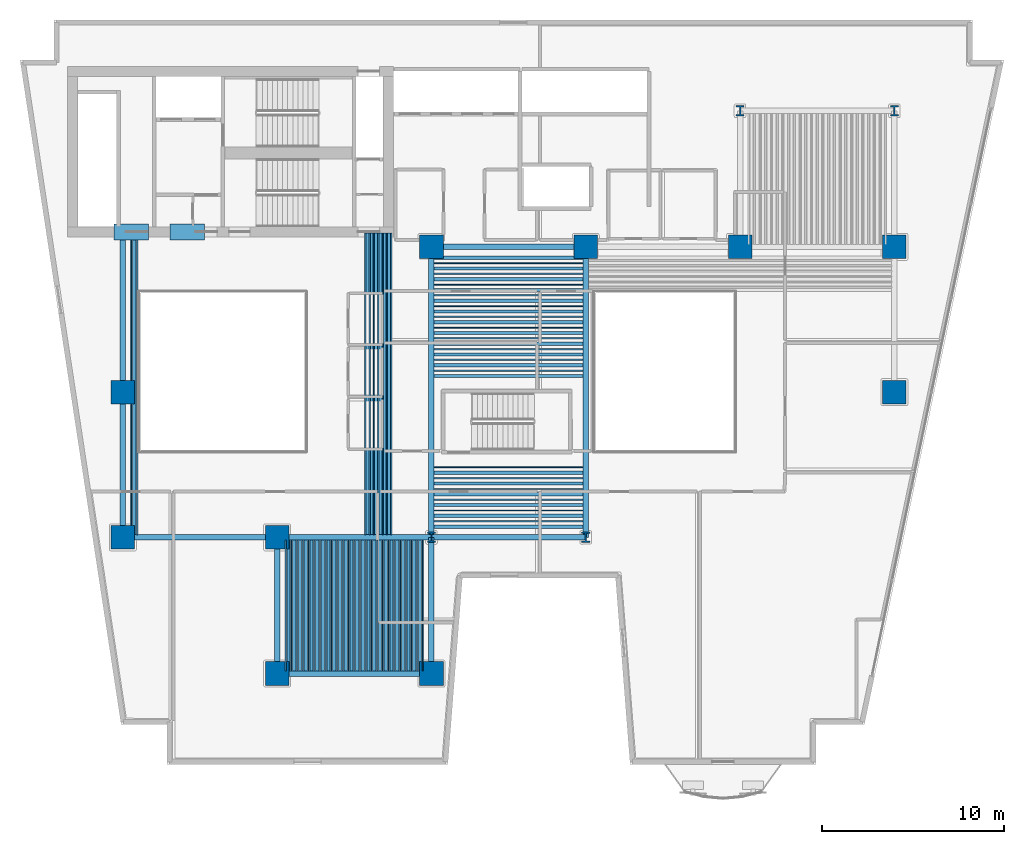
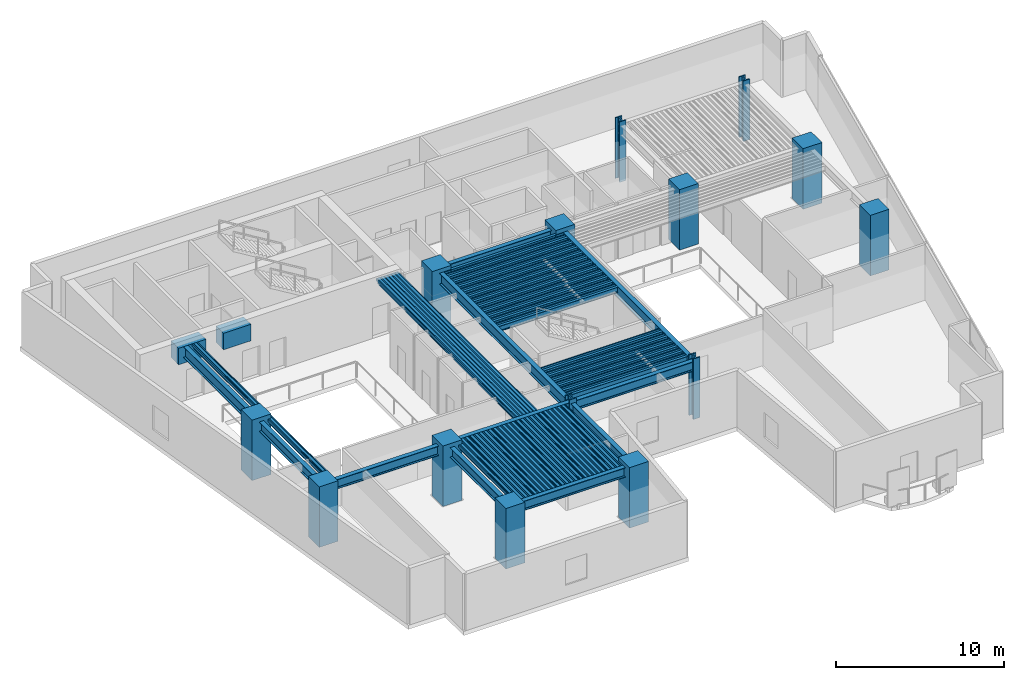
# One storey, part 1 of 12: 113 beams, 14 columns.
"""IFC4 building model written with IfcOpenShell, lengths in metres."""

from ifc_helpers import new_model, si_unit, direction, frame, origin, origin_2d, place, context, subcontext, project, spatial, rectangle, hollow_rectangle, i_section, extrude, material, material_profile, profile_set, type_object, element, save


model = new_model("IFC4")

# Units and contexts
model_context = context("Model", 3, precision=1e-05, world=origin(), true_north=direction((0.0, 1.0)))
body_context = subcontext(model_context, "Body", "Model", "MODEL_VIEW")
ifc_project = project(units=[si_unit("LENGTHUNIT", "METRE"), si_unit("AREAUNIT", "SQUARE_METRE"), si_unit("VOLUMEUNIT", "CUBIC_METRE"), si_unit("PLANEANGLEUNIT", "RADIAN"), si_unit("MASSUNIT", "GRAM", prefix="KILO")], contexts=[model_context])

# Site, building, storey
site_placement = place(None, origin())
site = spatial("IfcSite", under=ifc_project, at=site_placement, CompositionType="ELEMENT")
building_placement = place(site_placement, origin())
building = spatial("IfcBuilding", under=site, at=building_placement, Name="Caeloran Harvest Quay", CompositionType="ELEMENT")
storey_placement = place(building_placement, frame((0.0, 0.0, 57.800048828125)))
storey = spatial("IfcBuildingStorey", under=building, at=storey_placement, Name="L13", CompositionType="ELEMENT", Elevation=57.800048828125)

# Columns
ifc_material_1 = material(Name="Concrete C80/95", Category="concrete")
ifc_material_profile_1 = material_profile(ifc_material_1, rectangle(XDim=1.300048828125, YDim=1.300048828125, at=origin_2d()), Name="RC 1300x1300")
ifc_profile_set_1 = profile_set([ifc_material_profile_1], Name="Concrete C80/95")
column_type_1 = type_object("IfcColumnType", Name="COL-MC-2-RC_1300x1300", PredefinedType="COLUMN", material=ifc_profile_set_1)
for number, where, z_axis, x_axis, name in (
    (1, (8.5, 15.0, 0.0), (0.0, 0.0, 1.0), (1.0, 0.0, 0.0), "L13 Structural Column (8.5, 15.0)"),
    (2, (8.5, 23.0, 0.0), (0.0, 0.0, 1.0), (1.0, 0.0, 0.0), "L13 Structural Column (8.5, 23.0)"),
    (3, (17.0, 7.5, 0.0), (0.0, 0.0, 1.0), (1.0, 0.0, 0.0), "L13 Structural Column (17.0, 7.5)"),
    (4, (17.0, 15.0, 0.0), (0.0, 0.0, 1.0), (1.0, 0.0, 0.0), "L13 Structural Column (17.0, 15.0)"),
    (5, (25.5, 7.5, 0.0), (0.0, 0.0, 1.0), (1.0, 0.0, 0.0), "L13 Structural Column (25.5, 7.5)"),
    (6, (25.5, 31.0, 0.0), (0.0, 0.0, 1.0), (1.0, 0.0, 0.0), "L13 Structural Column (25.5, 31.0)"),
    (7, (34.0, 31.0, 0.0), (0.0, 0.0, 1.0), (1.0, 0.0, 0.0), "L13 Structural Column (34.0, 31.0)"),
    (8, (42.5, 31.0, 0.0), (0.0, 0.0, 1.0), (1.0, 0.0, 0.0), "L13 Structural Column (42.5, 31.0)"),
    (9, (51.0, 23.0, 0.0), (0.0, 0.0, 1.0), (1.0, 0.0, 0.0), "L13 Structural Column (51.0, 23.0)"),
    (10, (51.0, 31.0, 0.0), (0.0, 0.0, 1.0), (1.0, 0.0, 0.0), "L13 Structural Column (51.0, 31.0)"),
):
    element("IfcColumn", number, at=place(storey_placement, frame(where, z_axis=z_axis, x_axis=x_axis)), inside=storey, type_object=column_type_1, Name=name, PredefinedType="COLUMN", context=body_context, shape_type="SweptSolid", body=[
        extrude(rectangle(XDim=1.300048828125, YDim=1.300048828125, at=origin_2d()), origin(), (0.0, 0.0, 1.0), 4.39990234375),
    ])
ifc_material_2 = material(Name="Steel HISTAR 460", Category="steel")
ifc_material_profile_2 = material_profile(ifc_material_2, i_section(OverallWidth=0.4541015625, OverallDepth=0.569091796875, WebThickness=0.077880859375, FlangeThickness=0.080078125, FilletRadius=0.014892578125, at=origin_2d()), Name="HD 400x1086")
ifc_profile_set_2 = profile_set([ifc_material_profile_2], Name="Steel HISTAR 460")
column_type_2 = type_object("IfcColumnType", Name="COL-SC-1-HD_400x1086", PredefinedType="COLUMN", material=ifc_profile_set_2)
for number, where, z_axis, x_axis, name in (
    (11, (25.5, 15.0, 0.0), (0.0, 0.0, 1.0), (1.0, 0.0, 0.0), "L13 Structural Column (25.5, 15.0)"),
    (12, (34.0, 15.0, 0.0), (0.0, 0.0, 1.0), (1.0, 0.0, 0.0), "L13 Structural Column (34.0, 15.0)"),
    (13, (42.5, 38.5, 0.0), (0.0, 0.0, 1.0), (1.0, 0.0, 0.0), "L13 Structural Column (42.5, 38.5)"),
    (14, (51.0, 38.5, 0.0), (0.0, 0.0, 1.0), (1.0, 0.0, 0.0), "L13 Structural Column (51.0, 38.5)"),
):
    element("IfcColumn", number, at=place(storey_placement, frame(where, z_axis=z_axis, x_axis=x_axis)), inside=storey, type_object=column_type_2, Name=name, PredefinedType="COLUMN", context=body_context, shape_type="SweptSolid", body=[
        extrude(i_section(OverallWidth=0.4541015625, OverallDepth=0.569091796875, WebThickness=0.077880859375, FlangeThickness=0.080078125, FilletRadius=0.014892578125, at=origin_2d()), origin(), (0.0, 0.0, 1.0), 4.39990234375),
    ])

# Beams
ifc_material_profile_3 = material_profile(ifc_material_1, rectangle(XDim=0.89990234375, YDim=1.199951171875, at=origin_2d()), Name="RC 900x1200")
ifc_profile_set_3 = profile_set([ifc_material_profile_3], Name="Concrete C80/95")
beam_type_1 = type_object("IfcBeamType", Name="BM-CB-1-RC_900x1200", PredefinedType="LINTEL", material=ifc_profile_set_3)
for number, where, z_axis, x_axis, name in (
    (15, (8.0, 31.824951171875, 3.5), (1.0, 0.0, 0.0), (0.0, 1.0, 0.0), "L13 Core Coupling Beam 1"),
    (16, (11.10009765625, 31.824951171875, 3.5), (1.0, 0.0, 0.0), (0.0, 1.0, 0.0), "L13 Core Coupling Beam 2"),
):
    element("IfcBeam", number, at=place(storey_placement, frame(where, z_axis=z_axis, x_axis=x_axis)), inside=storey, type_object=beam_type_1, Name=name, PredefinedType="LINTEL", context=body_context, shape_type="SweptSolid", body=[
        extrude(rectangle(XDim=0.89990234375, YDim=1.199951171875, at=origin_2d()), origin(), (0.0, 0.0, 1.0), 1.89990234375),
    ])
ifc_material_3 = material(Name="Steel S355J2", Category="steel")
ifc_material_profile_4 = material_profile(ifc_material_3, i_section(OverallWidth=0.300048828125, OverallDepth=0.800048828125, WebThickness=0.017578125, FlangeThickness=0.032958984375, FilletRadius=0.030029296875, at=origin_2d()), Name="HE 800 B")
ifc_profile_set_4 = profile_set([ifc_material_profile_4], Name="Steel S355J2")
beam_type_2 = type_object("IfcBeamType", Name="BM-PG-1-HE_800_B", PredefinedType="BEAM", material=ifc_profile_set_4)
beam_1_placement = place(storey_placement, frame((8.5, 23.0, 3.699951171875), z_axis=(0.0, 1.0, 0.0), x_axis=(-1.0, 0.0, 0.0)))
element("IfcBeam", 17, at=beam_1_placement, inside=storey, type_object=beam_type_2, Name="L13 Core South Tie Girder X=8.5", PredefinedType="BEAM", context=body_context, shape_type="SweptSolid", body=[
    extrude(i_section(OverallWidth=0.300048828125, OverallDepth=0.800048828125, WebThickness=0.017578125, FlangeThickness=0.032958984375, FilletRadius=0.030029296875, at=origin_2d()), origin(), (0.0, 0.0, 1.0), 8.77490234375),
])
for number, where, z_axis, x_axis, name in (
    (18, (25.5, 15.0, 3.699951171875), (0.0, 1.0, 0.0), (-1.0, 0.0, 0.0), "L13 Primary North-South Girder X=25.5"),
    (19, (34.0, 15.0, 3.699951171875), (0.0, 1.0, 0.0), (-1.0, 0.0, 0.0), "L13 Primary North-South Girder X=34.0"),
):
    element("IfcBeam", number, at=place(storey_placement, frame(where, z_axis=z_axis, x_axis=x_axis)), inside=storey, type_object=beam_type_2, Name=name, PredefinedType="BEAM", context=body_context, shape_type="SweptSolid", body=[
        extrude(i_section(OverallWidth=0.300048828125, OverallDepth=0.800048828125, WebThickness=0.017578125, FlangeThickness=0.032958984375, FilletRadius=0.030029296875, at=origin_2d()), origin(), (0.0, 0.0, 1.0), 16.0),
    ])
ifc_material_profile_5 = material_profile(ifc_material_3, i_section(OverallWidth=0.300048828125, OverallDepth=0.699951171875, WebThickness=0.01708984375, FlangeThickness=0.031982421875, FilletRadius=0.027099609375, at=origin_2d()), Name="HE 700 B")
ifc_profile_set_5 = profile_set([ifc_material_profile_5], Name="Steel S355J2")
beam_type_3 = type_object("IfcBeamType", Name="BM-PG-2-HE_700_B", PredefinedType="BEAM", material=ifc_profile_set_5)
for number, where, z_axis, x_axis, name in (
    (20, (17.0, 7.5, 3.75), (1.0, 0.0, 0.0), (0.0, 1.0, 0.0), "L13 Primary East-West Girder Y=7.5"),
    (21, (8.5, 15.0, 3.75), (1.0, 0.0, 0.0), (0.0, 1.0, 0.0), "L13 Primary East-West Girder Y=15.0"),
    (22, (17.0, 15.0, 3.75), (1.0, 0.0, 0.0), (0.0, 1.0, 0.0), "L13 Primary East-West Girder Y=15.0"),
    (23, (25.5, 15.0, 3.75), (1.0, 0.0, 0.0), (0.0, 1.0, 0.0), "L13 Primary East-West Girder Y=15.0"),
    (24, (25.5, 31.0, 3.75), (1.0, 0.0, 0.0), (0.0, 1.0, 0.0), "L13 Primary East-West Girder Y=31.0"),
):
    element("IfcBeam", number, at=place(storey_placement, frame(where, z_axis=z_axis, x_axis=x_axis)), inside=storey, type_object=beam_type_3, Name=name, PredefinedType="BEAM", context=body_context, shape_type="SweptSolid", body=[
        extrude(i_section(OverallWidth=0.300048828125, OverallDepth=0.699951171875, WebThickness=0.01708984375, FlangeThickness=0.031982421875, FilletRadius=0.027099609375, at=origin_2d()), origin(), (0.0, 0.0, 1.0), 8.5),
    ])
beam_2_placement = place(storey_placement, frame((8.5, 15.0, 3.75), z_axis=(0.0, 1.0, 0.0), x_axis=(-1.0, 0.0, 0.0)))
element("IfcBeam", 25, at=beam_2_placement, inside=storey, type_object=beam_type_3, Name="L13 Primary North-South Girder X=8.5", PredefinedType="BEAM", context=body_context, shape_type="SweptSolid", body=[
    extrude(i_section(OverallWidth=0.300048828125, OverallDepth=0.699951171875, WebThickness=0.01708984375, FlangeThickness=0.031982421875, FilletRadius=0.027099609375, at=origin_2d()), origin(), (0.0, 0.0, 1.0), 8.0),
])
for number, where, z_axis, x_axis, name in (
    (26, (17.0, 7.5, 3.75), (0.0, 1.0, 0.0), (-1.0, 0.0, 0.0), "L13 Primary North-South Girder X=17.0"),
    (27, (25.5, 7.5, 3.75), (0.0, 1.0, 0.0), (-1.0, 0.0, 0.0), "L13 Primary North-South Girder X=25.5"),
):
    element("IfcBeam", number, at=place(storey_placement, frame(where, z_axis=z_axis, x_axis=x_axis)), inside=storey, type_object=beam_type_3, Name=name, PredefinedType="BEAM", context=body_context, shape_type="SweptSolid", body=[
        extrude(i_section(OverallWidth=0.300048828125, OverallDepth=0.699951171875, WebThickness=0.01708984375, FlangeThickness=0.031982421875, FilletRadius=0.027099609375, at=origin_2d()), origin(), (0.0, 0.0, 1.0), 7.5),
    ])
ifc_material_profile_6 = material_profile(ifc_material_3, i_section(OverallWidth=0.179931640625, OverallDepth=0.39990234375, WebThickness=0.008544921875, FlangeThickness=0.013427734375, FilletRadius=0.02099609375, at=origin_2d()), Name="IPE 400")
ifc_profile_set_6 = profile_set([ifc_material_profile_6], Name="Steel S355J2")
beam_type_4 = type_object("IfcBeamType", Name="BM-SB-4-IPE_400", PredefinedType="JOIST", material=ifc_profile_set_6)
for number, where, z_axis, x_axis, name in (
    (28, (17.629638671875, 7.64501953125, 3.89990234375), (0.0, 1.0, 0.0), (-1.0, 0.0, 0.0), "L13 Secondary Composite Joist"),
    (29, (17.9443359375, 7.64501953125, 3.89990234375), (0.0, 1.0, 0.0), (-1.0, 0.0, 0.0), "L13 Secondary Composite Joist"),
    (30, (18.25927734375, 7.64501953125, 3.89990234375), (0.0, 1.0, 0.0), (-1.0, 0.0, 0.0), "L13 Secondary Composite Joist"),
    (31, (18.57421875, 7.64501953125, 3.89990234375), (0.0, 1.0, 0.0), (-1.0, 0.0, 0.0), "L13 Secondary Composite Joist"),
    (32, (18.888916015625, 7.64501953125, 3.89990234375), (0.0, 1.0, 0.0), (-1.0, 0.0, 0.0), "L13 Secondary Composite Joist"),
    (33, (19.20361328125, 7.64501953125, 3.89990234375), (0.0, 1.0, 0.0), (-1.0, 0.0, 0.0), "L13 Secondary Composite Joist"),
    (34, (19.5185546875, 7.64501953125, 3.89990234375), (0.0, 1.0, 0.0), (-1.0, 0.0, 0.0), "L13 Secondary Composite Joist"),
    (35, (19.833251953125, 7.64501953125, 3.89990234375), (0.0, 1.0, 0.0), (-1.0, 0.0, 0.0), "L13 Secondary Composite Joist"),
    (36, (20.148193359375, 7.64501953125, 3.89990234375), (0.0, 1.0, 0.0), (-1.0, 0.0, 0.0), "L13 Secondary Composite Joist"),
    (37, (20.462890625, 7.64501953125, 3.89990234375), (0.0, 1.0, 0.0), (-1.0, 0.0, 0.0), "L13 Secondary Composite Joist"),
    (38, (20.77783203125, 7.64501953125, 3.89990234375), (0.0, 1.0, 0.0), (-1.0, 0.0, 0.0), "L13 Secondary Composite Joist"),
    (39, (21.092529296875, 7.64501953125, 3.89990234375), (0.0, 1.0, 0.0), (-1.0, 0.0, 0.0), "L13 Secondary Composite Joist"),
    (40, (21.407470703125, 7.64501953125, 3.89990234375), (0.0, 1.0, 0.0), (-1.0, 0.0, 0.0), "L13 Secondary Composite Joist"),
    (41, (21.72216796875, 7.64501953125, 3.89990234375), (0.0, 1.0, 0.0), (-1.0, 0.0, 0.0), "L13 Secondary Composite Joist"),
    (42, (22.037109375, 7.64501953125, 3.89990234375), (0.0, 1.0, 0.0), (-1.0, 0.0, 0.0), "L13 Secondary Composite Joist"),
    (43, (22.351806640625, 7.64501953125, 3.89990234375), (0.0, 1.0, 0.0), (-1.0, 0.0, 0.0), "L13 Secondary Composite Joist"),
    (44, (22.666748046875, 7.64501953125, 3.89990234375), (0.0, 1.0, 0.0), (-1.0, 0.0, 0.0), "L13 Secondary Composite Joist"),
    (45, (22.9814453125, 7.64501953125, 3.89990234375), (0.0, 1.0, 0.0), (-1.0, 0.0, 0.0), "L13 Secondary Composite Joist"),
    (46, (23.29638671875, 7.64501953125, 3.89990234375), (0.0, 1.0, 0.0), (-1.0, 0.0, 0.0), "L13 Secondary Composite Joist"),
    (47, (23.611083984375, 7.64501953125, 3.89990234375), (0.0, 1.0, 0.0), (-1.0, 0.0, 0.0), "L13 Secondary Composite Joist"),
    (48, (23.92578125, 7.64501953125, 3.89990234375), (0.0, 1.0, 0.0), (-1.0, 0.0, 0.0), "L13 Secondary Composite Joist"),
    (49, (24.24072265625, 7.64501953125, 3.89990234375), (0.0, 1.0, 0.0), (-1.0, 0.0, 0.0), "L13 Secondary Composite Joist"),
    (50, (24.5556640625, 7.64501953125, 3.89990234375), (0.0, 1.0, 0.0), (-1.0, 0.0, 0.0), "L13 Secondary Composite Joist"),
    (51, (24.870361328125, 7.64501953125, 3.89990234375), (0.0, 1.0, 0.0), (-1.0, 0.0, 0.0), "L13 Secondary Composite Joist"),
):
    element("IfcBeam", number, at=place(storey_placement, frame(where, z_axis=z_axis, x_axis=x_axis)), inside=storey, type_object=beam_type_4, Name=name, PredefinedType="JOIST", context=body_context, shape_type="SweptSolid", body=[
        extrude(i_section(OverallWidth=0.179931640625, OverallDepth=0.39990234375, WebThickness=0.008544921875, FlangeThickness=0.013427734375, FilletRadius=0.02099609375, at=origin_2d()), origin(), (0.0, 0.0, 1.0), 7.2099609375),
    ])
for number, where, z_axis, x_axis, name in (
    (52, (9.129638671875, 15.14501953125, 3.89990234375), (0.0, 1.0, 0.0), (-1.0, 0.0, 0.0), "L13 Secondary Composite Joist"),
    (53, (21.977783203125, 15.14501953125, 3.89990234375), (0.0, 1.0, 0.0), (-1.0, 0.0, 0.0), "L13 Secondary Composite Joist"),
    (54, (22.21484375, 15.14501953125, 3.89990234375), (0.0, 1.0, 0.0), (-1.0, 0.0, 0.0), "L13 Secondary Composite Joist"),
    (55, (22.451904296875, 15.14501953125, 3.89990234375), (0.0, 1.0, 0.0), (-1.0, 0.0, 0.0), "L13 Secondary Composite Joist"),
    (56, (22.68896484375, 15.14501953125, 3.89990234375), (0.0, 1.0, 0.0), (-1.0, 0.0, 0.0), "L13 Secondary Composite Joist"),
    (57, (22.92578125, 15.14501953125, 3.89990234375), (0.0, 1.0, 0.0), (-1.0, 0.0, 0.0), "L13 Secondary Composite Joist"),
    (58, (23.1630859375, 15.14501953125, 3.89990234375), (0.0, 1.0, 0.0), (-1.0, 0.0, 0.0), "L13 Secondary Composite Joist"),
):
    element("IfcBeam", number, at=place(storey_placement, frame(where, z_axis=z_axis, x_axis=x_axis)), inside=storey, type_object=beam_type_4, Name=name, PredefinedType="JOIST", context=body_context, shape_type="SweptSolid", body=[
        extrude(i_section(OverallWidth=0.179931640625, OverallDepth=0.39990234375, WebThickness=0.008544921875, FlangeThickness=0.013427734375, FilletRadius=0.02099609375, at=origin_2d()), origin(), (0.0, 0.0, 1.0), 16.6298828125),
    ])
for number, where, z_axis, x_axis, name in (
    (59, (25.64501953125, 15.592529296875, 3.89990234375), (1.0, 0.0, 0.0), (0.0, 1.0, 0.0), "L13 Secondary East-West Composite Joist"),
    (60, (25.64501953125, 16.185302734375, 3.89990234375), (1.0, 0.0, 0.0), (0.0, 1.0, 0.0), "L13 Secondary East-West Composite Joist"),
    (61, (25.64501953125, 16.77783203125, 3.89990234375), (1.0, 0.0, 0.0), (0.0, 1.0, 0.0), "L13 Secondary East-West Composite Joist"),
    (62, (25.64501953125, 17.370361328125, 3.89990234375), (1.0, 0.0, 0.0), (0.0, 1.0, 0.0), "L13 Secondary East-West Composite Joist"),
    (63, (25.64501953125, 17.962890625, 3.89990234375), (1.0, 0.0, 0.0), (0.0, 1.0, 0.0), "L13 Secondary East-West Composite Joist"),
    (64, (25.64501953125, 18.5556640625, 3.89990234375), (1.0, 0.0, 0.0), (0.0, 1.0, 0.0), "L13 Secondary East-West Composite Joist"),
    (65, (25.64501953125, 23.888916015625, 3.89990234375), (1.0, 0.0, 0.0), (0.0, 1.0, 0.0), "L13 Secondary East-West Composite Joist"),
    (66, (25.64501953125, 24.4814453125, 3.89990234375), (1.0, 0.0, 0.0), (0.0, 1.0, 0.0), "L13 Secondary East-West Composite Joist"),
    (67, (25.64501953125, 25.07421875, 3.89990234375), (1.0, 0.0, 0.0), (0.0, 1.0, 0.0), "L13 Secondary East-West Composite Joist"),
    (68, (25.64501953125, 25.666748046875, 3.89990234375), (1.0, 0.0, 0.0), (0.0, 1.0, 0.0), "L13 Secondary East-West Composite Joist"),
    (69, (25.64501953125, 26.25927734375, 3.89990234375), (1.0, 0.0, 0.0), (0.0, 1.0, 0.0), "L13 Secondary East-West Composite Joist"),
    (70, (25.64501953125, 26.851806640625, 3.89990234375), (1.0, 0.0, 0.0), (0.0, 1.0, 0.0), "L13 Secondary East-West Composite Joist"),
    (71, (25.64501953125, 27.4443359375, 3.89990234375), (1.0, 0.0, 0.0), (0.0, 1.0, 0.0), "L13 Secondary East-West Composite Joist"),
    (72, (25.64501953125, 28.037109375, 3.89990234375), (1.0, 0.0, 0.0), (0.0, 1.0, 0.0), "L13 Secondary East-West Composite Joist"),
    (73, (25.64501953125, 28.629638671875, 3.89990234375), (1.0, 0.0, 0.0), (0.0, 1.0, 0.0), "L13 Secondary East-West Composite Joist"),
    (74, (25.64501953125, 29.22216796875, 3.89990234375), (1.0, 0.0, 0.0), (0.0, 1.0, 0.0), "L13 Secondary East-West Composite Joist"),
    (75, (25.64501953125, 29.814697265625, 3.89990234375), (1.0, 0.0, 0.0), (0.0, 1.0, 0.0), "L13 Secondary East-West Composite Joist"),
    (76, (25.64501953125, 30.407470703125, 3.89990234375), (1.0, 0.0, 0.0), (0.0, 1.0, 0.0), "L13 Secondary East-West Composite Joist"),
):
    element("IfcBeam", number, at=place(storey_placement, frame(where, z_axis=z_axis, x_axis=x_axis)), inside=storey, type_object=beam_type_4, Name=name, PredefinedType="JOIST", context=body_context, shape_type="SweptSolid", body=[
        extrude(i_section(OverallWidth=0.179931640625, OverallDepth=0.39990234375, WebThickness=0.008544921875, FlangeThickness=0.013427734375, FilletRadius=0.02099609375, at=origin_2d()), origin(), (0.0, 0.0, 1.0), 8.2099609375),
    ])
ifc_material_profile_7 = material_profile(ifc_material_3, hollow_rectangle(XDim=0.080078125, YDim=0.199951171875, WallThickness=0.006103515625, InnerFilletRadius=0.006103515625, OuterFilletRadius=0.009033203125, at=origin_2d()), Name="RHS 200x80x6")
ifc_profile_set_7 = profile_set([ifc_material_profile_7], Name="Steel S355J2")
beam_type_5 = type_object("IfcBeamType", Name="BM-SB-7-RHS_200x80x6", PredefinedType="JOIST", material=ifc_profile_set_7)
for number, where, z_axis, x_axis, name in (
    (77, (17.47216796875, 7.64501953125, 4.0), (0.0, 1.0, 0.0), (-1.0, 0.0, 0.0), "L13 Secondary Composite Joist"),
    (78, (17.787109375, 7.64501953125, 4.0), (0.0, 1.0, 0.0), (-1.0, 0.0, 0.0), "L13 Secondary Composite Joist"),
    (79, (18.101806640625, 7.64501953125, 4.0), (0.0, 1.0, 0.0), (-1.0, 0.0, 0.0), "L13 Secondary Composite Joist"),
    (80, (18.416748046875, 7.64501953125, 4.0), (0.0, 1.0, 0.0), (-1.0, 0.0, 0.0), "L13 Secondary Composite Joist"),
    (81, (18.7314453125, 7.64501953125, 4.0), (0.0, 1.0, 0.0), (-1.0, 0.0, 0.0), "L13 Secondary Composite Joist"),
    (82, (19.04638671875, 7.64501953125, 4.0), (0.0, 1.0, 0.0), (-1.0, 0.0, 0.0), "L13 Secondary Composite Joist"),
    (83, (19.361083984375, 7.64501953125, 4.0), (0.0, 1.0, 0.0), (-1.0, 0.0, 0.0), "L13 Secondary Composite Joist"),
    (84, (19.67578125, 7.64501953125, 4.0), (0.0, 1.0, 0.0), (-1.0, 0.0, 0.0), "L13 Secondary Composite Joist"),
    (85, (19.99072265625, 7.64501953125, 4.0), (0.0, 1.0, 0.0), (-1.0, 0.0, 0.0), "L13 Secondary Composite Joist"),
    (86, (20.3056640625, 7.64501953125, 4.0), (0.0, 1.0, 0.0), (-1.0, 0.0, 0.0), "L13 Secondary Composite Joist"),
    (87, (20.620361328125, 7.64501953125, 4.0), (0.0, 1.0, 0.0), (-1.0, 0.0, 0.0), "L13 Secondary Composite Joist"),
    (88, (20.935302734375, 7.64501953125, 4.0), (0.0, 1.0, 0.0), (-1.0, 0.0, 0.0), "L13 Secondary Composite Joist"),
    (89, (21.25, 7.64501953125, 4.0), (0.0, 1.0, 0.0), (-1.0, 0.0, 0.0), "L13 Secondary Composite Joist"),
    (90, (21.564697265625, 7.64501953125, 4.0), (0.0, 1.0, 0.0), (-1.0, 0.0, 0.0), "L13 Secondary Composite Joist"),
    (91, (21.879638671875, 7.64501953125, 4.0), (0.0, 1.0, 0.0), (-1.0, 0.0, 0.0), "L13 Secondary Composite Joist"),
    (92, (22.1943359375, 7.64501953125, 4.0), (0.0, 1.0, 0.0), (-1.0, 0.0, 0.0), "L13 Secondary Composite Joist"),
    (93, (22.50927734375, 7.64501953125, 4.0), (0.0, 1.0, 0.0), (-1.0, 0.0, 0.0), "L13 Secondary Composite Joist"),
    (94, (22.82421875, 7.64501953125, 4.0), (0.0, 1.0, 0.0), (-1.0, 0.0, 0.0), "L13 Secondary Composite Joist"),
    (95, (23.138916015625, 7.64501953125, 4.0), (0.0, 1.0, 0.0), (-1.0, 0.0, 0.0), "L13 Secondary Composite Joist"),
    (96, (23.45361328125, 7.64501953125, 4.0), (0.0, 1.0, 0.0), (-1.0, 0.0, 0.0), "L13 Secondary Composite Joist"),
    (97, (23.7685546875, 7.64501953125, 4.0), (0.0, 1.0, 0.0), (-1.0, 0.0, 0.0), "L13 Secondary Composite Joist"),
    (98, (24.083251953125, 7.64501953125, 4.0), (0.0, 1.0, 0.0), (-1.0, 0.0, 0.0), "L13 Secondary Composite Joist"),
    (99, (24.398193359375, 7.64501953125, 4.0), (0.0, 1.0, 0.0), (-1.0, 0.0, 0.0), "L13 Secondary Composite Joist"),
    (100, (24.712890625, 7.64501953125, 4.0), (0.0, 1.0, 0.0), (-1.0, 0.0, 0.0), "L13 Secondary Composite Joist"),
    (101, (25.02783203125, 7.64501953125, 4.0), (0.0, 1.0, 0.0), (-1.0, 0.0, 0.0), "L13 Secondary Composite Joist"),
):
    element("IfcBeam", number, at=place(storey_placement, frame(where, z_axis=z_axis, x_axis=x_axis)), inside=storey, type_object=beam_type_5, Name=name, PredefinedType="JOIST", context=body_context, shape_type="SweptSolid", body=[
        extrude(hollow_rectangle(XDim=0.080078125, YDim=0.199951171875, WallThickness=0.006103515625, InnerFilletRadius=0.006103515625, OuterFilletRadius=0.009033203125, at=origin_2d()), origin(), (0.0, 0.0, 1.0), 7.2099609375),
    ])
for number, where, z_axis, x_axis, name in (
    (102, (8.97216796875, 15.14501953125, 4.0), (0.0, 1.0, 0.0), (-1.0, 0.0, 0.0), "L13 Secondary Composite Joist"),
    (103, (9.287109375, 15.14501953125, 4.0), (0.0, 1.0, 0.0), (-1.0, 0.0, 0.0), "L13 Secondary Composite Joist"),
    (104, (21.859375, 15.14501953125, 4.0), (0.0, 1.0, 0.0), (-1.0, 0.0, 0.0), "L13 Secondary Composite Joist"),
    (105, (22.09619140625, 15.14501953125, 4.0), (0.0, 1.0, 0.0), (-1.0, 0.0, 0.0), "L13 Secondary Composite Joist"),
    (106, (22.333251953125, 15.14501953125, 4.0), (0.0, 1.0, 0.0), (-1.0, 0.0, 0.0), "L13 Secondary Composite Joist"),
    (107, (22.5703125, 15.14501953125, 4.0), (0.0, 1.0, 0.0), (-1.0, 0.0, 0.0), "L13 Secondary Composite Joist"),
    (108, (22.807373046875, 15.14501953125, 4.0), (0.0, 1.0, 0.0), (-1.0, 0.0, 0.0), "L13 Secondary Composite Joist"),
    (109, (23.04443359375, 15.14501953125, 4.0), (0.0, 1.0, 0.0), (-1.0, 0.0, 0.0), "L13 Secondary Composite Joist"),
    (110, (23.281494140625, 15.14501953125, 4.0), (0.0, 1.0, 0.0), (-1.0, 0.0, 0.0), "L13 Secondary Composite Joist"),
):
    element("IfcBeam", number, at=place(storey_placement, frame(where, z_axis=z_axis, x_axis=x_axis)), inside=storey, type_object=beam_type_5, Name=name, PredefinedType="JOIST", context=body_context, shape_type="SweptSolid", body=[
        extrude(hollow_rectangle(XDim=0.080078125, YDim=0.199951171875, WallThickness=0.006103515625, InnerFilletRadius=0.006103515625, OuterFilletRadius=0.009033203125, at=origin_2d()), origin(), (0.0, 0.0, 1.0), 16.6298828125),
    ])
for number, where, z_axis, x_axis, name in (
    (111, (25.64501953125, 15.888916015625, 4.0), (1.0, 0.0, 0.0), (0.0, 1.0, 0.0), "L13 Secondary East-West Composite Joist"),
    (112, (25.64501953125, 16.4814453125, 4.0), (1.0, 0.0, 0.0), (0.0, 1.0, 0.0), "L13 Secondary East-West Composite Joist"),
    (113, (25.64501953125, 17.07421875, 4.0), (1.0, 0.0, 0.0), (0.0, 1.0, 0.0), "L13 Secondary East-West Composite Joist"),
    (114, (25.64501953125, 17.666748046875, 4.0), (1.0, 0.0, 0.0), (0.0, 1.0, 0.0), "L13 Secondary East-West Composite Joist"),
    (115, (25.64501953125, 18.25927734375, 4.0), (1.0, 0.0, 0.0), (0.0, 1.0, 0.0), "L13 Secondary East-West Composite Joist"),
    (116, (25.64501953125, 18.851806640625, 4.0), (1.0, 0.0, 0.0), (0.0, 1.0, 0.0), "L13 Secondary East-West Composite Joist"),
    (117, (25.64501953125, 24.185302734375, 4.0), (1.0, 0.0, 0.0), (0.0, 1.0, 0.0), "L13 Secondary East-West Composite Joist"),
    (118, (25.64501953125, 24.77783203125, 4.0), (1.0, 0.0, 0.0), (0.0, 1.0, 0.0), "L13 Secondary East-West Composite Joist"),
    (119, (25.64501953125, 25.370361328125, 4.0), (1.0, 0.0, 0.0), (0.0, 1.0, 0.0), "L13 Secondary East-West Composite Joist"),
    (120, (25.64501953125, 25.962890625, 4.0), (1.0, 0.0, 0.0), (0.0, 1.0, 0.0), "L13 Secondary East-West Composite Joist"),
    (121, (25.64501953125, 26.5556640625, 4.0), (1.0, 0.0, 0.0), (0.0, 1.0, 0.0), "L13 Secondary East-West Composite Joist"),
    (122, (25.64501953125, 27.148193359375, 4.0), (1.0, 0.0, 0.0), (0.0, 1.0, 0.0), "L13 Secondary East-West Composite Joist"),
    (123, (25.64501953125, 27.74072265625, 4.0), (1.0, 0.0, 0.0), (0.0, 1.0, 0.0), "L13 Secondary East-West Composite Joist"),
    (124, (25.64501953125, 28.333251953125, 4.0), (1.0, 0.0, 0.0), (0.0, 1.0, 0.0), "L13 Secondary East-West Composite Joist"),
    (125, (25.64501953125, 28.92578125, 4.0), (1.0, 0.0, 0.0), (0.0, 1.0, 0.0), "L13 Secondary East-West Composite Joist"),
    (126, (25.64501953125, 29.5185546875, 4.0), (1.0, 0.0, 0.0), (0.0, 1.0, 0.0), "L13 Secondary East-West Composite Joist"),
    (127, (25.64501953125, 30.111083984375, 4.0), (1.0, 0.0, 0.0), (0.0, 1.0, 0.0), "L13 Secondary East-West Composite Joist"),
):
    element("IfcBeam", number, at=place(storey_placement, frame(where, z_axis=z_axis, x_axis=x_axis)), inside=storey, type_object=beam_type_5, Name=name, PredefinedType="JOIST", context=body_context, shape_type="SweptSolid", body=[
        extrude(hollow_rectangle(XDim=0.080078125, YDim=0.199951171875, WallThickness=0.006103515625, InnerFilletRadius=0.006103515625, OuterFilletRadius=0.009033203125, at=origin_2d()), origin(), (0.0, 0.0, 1.0), 8.2099609375),
    ])

save(model, "model.ifc")
